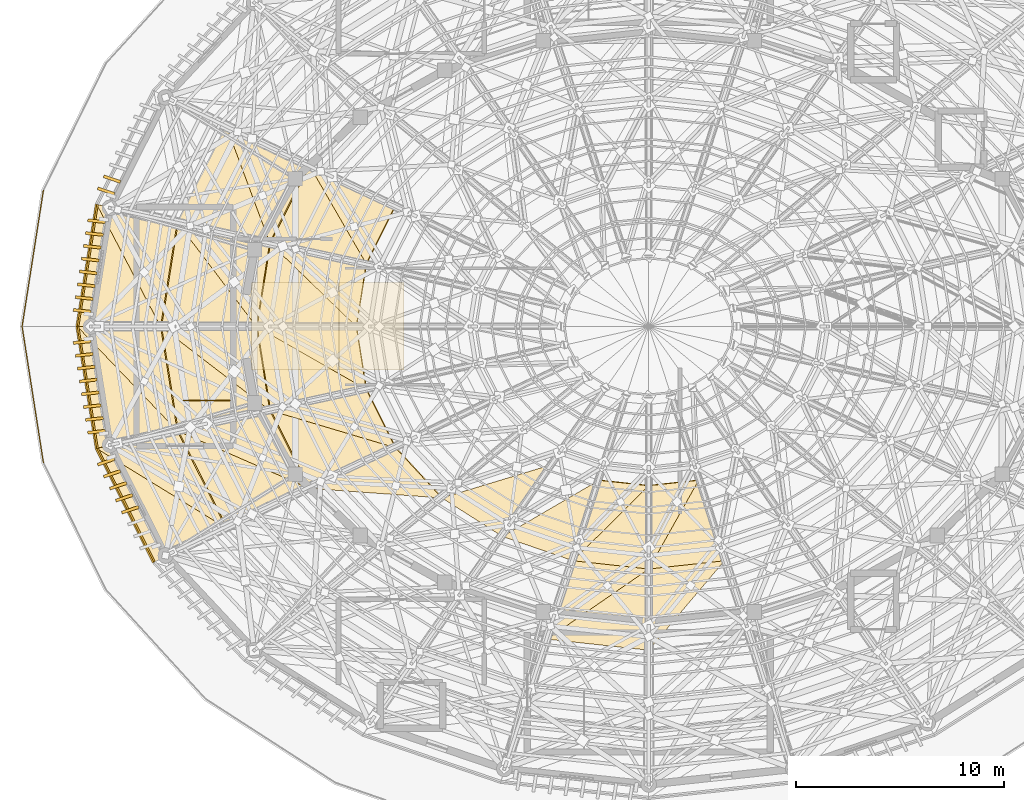
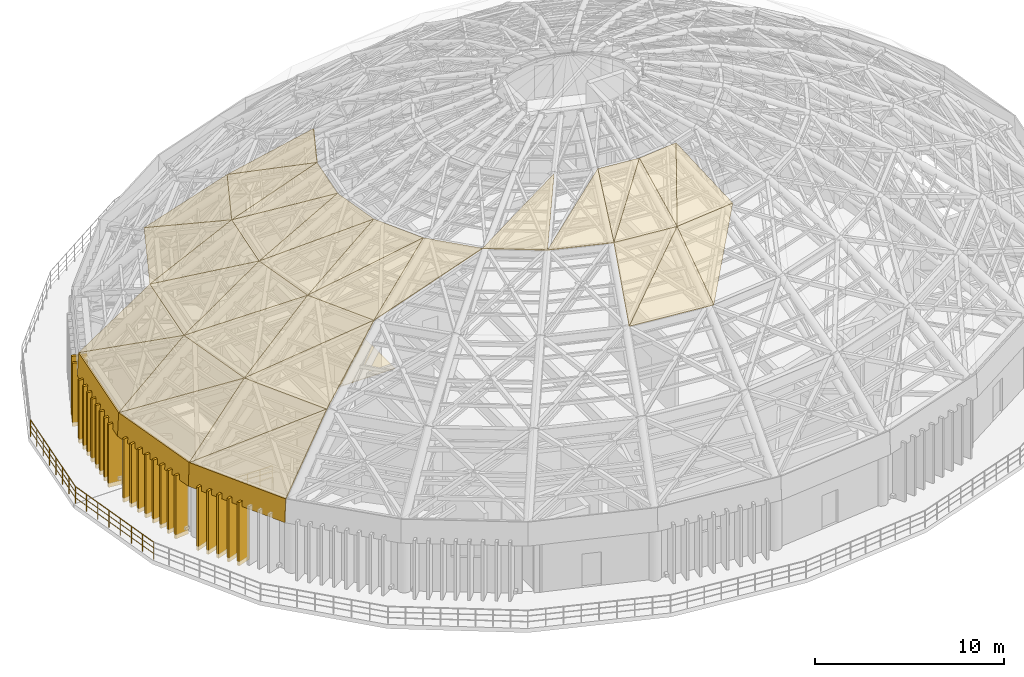
# One storey, part 43 of 50: 37 coverings, 23 shading devices, 3 railings, 5 elements without a shape of their own.
"""IFC4 building model written with IfcOpenShell, lengths in metres."""

from ifc_helpers import new_model, si_unit, direction, frame, origin, origin_2d, place, context, subcontext, project, spatial, polyline, rectangle, circle, outline, extrude, material, layer, layer_set, type_object, element, aggregate, save


model = new_model("IFC4")

# Units and contexts
model_context = context("Model", 3, precision=1e-05, world=origin(), true_north=direction((0.0, 1.0)))
body_context = subcontext(model_context, "Body", "Model", "MODEL_VIEW")
ifc_project = project(units=[si_unit("LENGTHUNIT", "METRE"), si_unit("AREAUNIT", "SQUARE_METRE"), si_unit("VOLUMEUNIT", "CUBIC_METRE"), si_unit("PLANEANGLEUNIT", "RADIAN"), si_unit("MASSUNIT", "GRAM", prefix="KILO")], contexts=[model_context])

# Site, building, storey
site_placement = place(None, origin())
site = spatial("IfcSite", under=ifc_project, at=site_placement, CompositionType="ELEMENT")
building_placement = place(site_placement, origin())
building = spatial("IfcBuilding", under=site, at=building_placement, Name="Cinderbank Siding Concert Hall", CompositionType="ELEMENT")
storey_placement = place(building_placement, frame((0.0, 0.0, 23.699951171875)))
storey = spatial("IfcBuildingStorey", under=building, at=storey_placement, Name="L06", CompositionType="ELEMENT", Elevation=23.699951171875)

# Coverings
ifc_material_1 = material(Name="Spotted gum glulam timber GL18 (42 MPa)", Category="wood")
ifc_layer_1 = layer(ifc_material_1, 0.044921875)
ifc_layer_set_1 = layer_set([ifc_layer_1], Name="Spotted gum glulam timber GL18 (42 MPa)")
covering_type_1 = type_object("IfcCoveringType", Name="CLG-01 Perforated Timber Acoustic Ceiling", PredefinedType="CEILING", material=ifc_layer_set_1)
for number, where, z_axis, x_axis, name in (
    (1, (108.140625, 44.0, 3.5595703125), (0.0, 0.0, 1.0), (1.0, 0.0, 0.0), "Main Hall Timber Acoustic Reflector #6"),
    (2, (105.02587890625, 44.0, 3.5595703125), (0.0, 0.0, 1.0), (1.0, 0.0, 0.0), "Main Hall Timber Acoustic Reflector #7"),
):
    element("IfcCovering", number, at=place(storey_placement, frame(where, z_axis=z_axis, x_axis=x_axis)), inside=storey, type_object=covering_type_1, Name=name, PredefinedType="CEILING", context=body_context, shape_type="SweptSolid", body=[
        extrude(rectangle(XDim=4.199951171875, YDim=4.199951171875, at=origin_2d()), origin(), (0.0, 0.0, 1.0), 0.044921875),
    ])

# Railings
ifc_material_2 = material(Name="Structural steel AS/NZS 3679.1 Grade 350 (340 MPa)", Category="steel")
railing_type_1 = type_object("IfcRailingType", Name="GD-01 Terrace & Perimeter Guardrail 1120mm", PredefinedType="GUARDRAIL", material=ifc_material_2)
railing_1_placement = place(storey_placement, frame((91.901123046875, 44.0, 0.0)))
element("IfcRailing", 3, at=railing_1_placement, inside=storey, type_object=railing_type_1, Name="L06 Perimeter Guardrail #139", PredefinedType="GUARDRAIL", context=body_context, shape_type="SweptSolid", body=[
    extrude(circle(Radius=0.02392578125, at=origin_2d()), frame((0.0, 0.0, 1.09619140625), z_axis=(0.154635505389, 0.9879715889, 0.0), x_axis=(-0.9879715889, 0.154635505389, 0.0)), (0.0, 0.0, 1.0), 6.623046875),
    extrude(circle(Radius=0.01611328125, at=origin_2d()), frame((0.0, 0.0, 0.36962890625), z_axis=(0.154635505389, 0.9879715889, 0.0), x_axis=(-0.9879715889, 0.154635505389, 0.0)), (0.0, 0.0, 1.0), 6.623046875),
    extrude(circle(Radius=0.01611328125, at=origin_2d()), frame((0.0, 0.0, 0.7392578125), z_axis=(0.154635505389, 0.9879715889, 0.0), x_axis=(-0.9879715889, 0.154635505389, 0.0)), (0.0, 0.0, 1.0), 6.623046875),
    extrude(circle(Radius=0.02099609375, at=origin_2d()), origin(), (0.0, 0.0, 1.0), 1.072021484375),
    extrude(circle(Radius=0.02099609375, at=origin_2d()), frame((0.146240234375, 0.934814453125, 0.0)), (0.0, 0.0, 1.0), 1.072021484375),
    extrude(circle(Radius=0.02099609375, at=origin_2d()), frame((0.292724609375, 1.86962890625, 0.0)), (0.0, 0.0, 1.0), 1.072021484375),
    extrude(circle(Radius=0.02099609375, at=origin_2d()), frame((0.43896484375, 2.804443359375, 0.0)), (0.0, 0.0, 1.0), 1.072021484375),
    extrude(circle(Radius=0.02099609375, at=origin_2d()), frame((0.585205078125, 3.739013671875, 0.0)), (0.0, 0.0, 1.0), 1.072021484375),
    extrude(circle(Radius=0.02099609375, at=origin_2d()), frame((0.7314453125, 4.673828125, 0.0)), (0.0, 0.0, 1.0), 1.072021484375),
    extrude(circle(Radius=0.02099609375, at=origin_2d()), frame((0.8779296875, 5.608642578125, 0.0)), (0.0, 0.0, 1.0), 1.072021484375),
    extrude(circle(Radius=0.02099609375, at=origin_2d()), frame((1.024169921875, 6.54345703125, 0.0)), (0.0, 0.0, 1.0), 1.072021484375),
])
railing_2_placement = place(storey_placement, frame((92.92529296875, 37.45654296875, 0.0)))
element("IfcRailing", 4, at=railing_2_placement, inside=storey, type_object=railing_type_1, Name="L06 Perimeter Guardrail #162", PredefinedType="GUARDRAIL", context=body_context, shape_type="SweptSolid", body=[
    extrude(circle(Radius=0.02392578125, at=origin_2d()), frame((0.0, 0.0, 1.09619140625), z_axis=(-0.154635505389, 0.9879715889, 0.0), x_axis=(-0.9879715889, -0.154635505389, 0.0)), (0.0, 0.0, 1.0), 6.623046875),
    extrude(circle(Radius=0.01611328125, at=origin_2d()), frame((0.0, 0.0, 0.36962890625), z_axis=(-0.154635505389, 0.9879715889, 0.0), x_axis=(-0.9879715889, -0.154635505389, 0.0)), (0.0, 0.0, 1.0), 6.623046875),
    extrude(circle(Radius=0.01611328125, at=origin_2d()), frame((0.0, 0.0, 0.7392578125), z_axis=(-0.154635505389, 0.9879715889, 0.0), x_axis=(-0.9879715889, -0.154635505389, 0.0)), (0.0, 0.0, 1.0), 6.623046875),
    extrude(circle(Radius=0.02099609375, at=origin_2d()), origin(), (0.0, 0.0, 1.0), 1.072021484375),
    extrude(circle(Radius=0.02099609375, at=origin_2d()), frame((-0.146240234375, 0.934814453125, 0.0)), (0.0, 0.0, 1.0), 1.072021484375),
    extrude(circle(Radius=0.02099609375, at=origin_2d()), frame((-0.292724609375, 1.86962890625, 0.0)), (0.0, 0.0, 1.0), 1.072021484375),
    extrude(circle(Radius=0.02099609375, at=origin_2d()), frame((-0.43896484375, 2.804443359375, 0.0)), (0.0, 0.0, 1.0), 1.072021484375),
    extrude(circle(Radius=0.02099609375, at=origin_2d()), frame((-0.585205078125, 3.739013671875, 0.0)), (0.0, 0.0, 1.0), 1.072021484375),
    extrude(circle(Radius=0.02099609375, at=origin_2d()), frame((-0.7314453125, 4.673828125, 0.0)), (0.0, 0.0, 1.0), 1.072021484375),
    extrude(circle(Radius=0.02099609375, at=origin_2d()), frame((-0.8779296875, 5.608642578125, 0.0)), (0.0, 0.0, 1.0), 1.072021484375),
    extrude(circle(Radius=0.02099609375, at=origin_2d()), frame((-1.024169921875, 6.54345703125, 0.0)), (0.0, 0.0, 1.0), 1.072021484375),
])

# Shading devices
ifc_material_3 = material(Name="Glazed architectural terracotta acoustic louvre unit", Category="masonry")
shading_device_type = type_object("IfcShadingDeviceType", Name="LV-02 Terracotta Louvre Blade 850x4050", PredefinedType="JALOUSIE", material=ifc_material_3)
for number, where, z_axis, x_axis, name in (
    (5, (96.22314453125, 51.0771484375, -0.27490234375), (0.0, 0.0, 1.0), (-0.946765351164, 0.321924478466, 0.0), "L06 Terracotta Louvre Blade #264"),
    (6, (95.9326171875, 50.5009765625, -0.27490234375), (0.0, 0.0, 1.0), (-0.946765351164, 0.321924478466, 0.0), "L06 Terracotta Louvre Blade #265"),
    (7, (95.47509765625, 49.05810546875, -0.27490234375), (0.0, 0.0, 1.0), (-0.994210818271, 0.107446958234, 0.0), "L06 Terracotta Louvre Blade #266"),
    (8, (95.37646484375, 48.442626953125, -0.27490234375), (0.0, 0.0, 1.0), (-0.994210818271, 0.107446958234, 0.0), "L06 Terracotta Louvre Blade #267"),
    (9, (95.277587890625, 47.8271484375, -0.27490234375), (0.0, 0.0, 1.0), (-0.994210818271, 0.107446958234, 0.0), "L06 Terracotta Louvre Blade #268"),
    (10, (95.178955078125, 47.211669921875, -0.27490234375), (0.0, 0.0, 1.0), (-0.994210818271, 0.107446958234, 0.0), "L06 Terracotta Louvre Blade #269"),
    (11, (95.080322265625, 46.59619140625, -0.27490234375), (0.0, 0.0, 1.0), (-0.994210818271, 0.107446958234, 0.0), "L06 Terracotta Louvre Blade #270"),
    (12, (94.981689453125, 45.980712890625, -0.27490234375), (0.0, 0.0, 1.0), (-0.994210818271, 0.107446958234, 0.0), "L06 Terracotta Louvre Blade #271"),
    (13, (94.8828125, 45.365234375, -0.27490234375), (0.0, 0.0, 1.0), (-0.994210818271, 0.107446958234, 0.0), "L06 Terracotta Louvre Blade #272"),
    (14, (94.7841796875, 44.749755859375, -0.27490234375), (0.0, 0.0, 1.0), (-0.994210818271, 0.107446958234, 0.0), "L06 Terracotta Louvre Blade #273"),
    (15, (94.7841796875, 43.250244140625, -0.27490234375), (0.0, 0.0, 1.0), (-0.994210818271, -0.107446958234, 0.0), "L06 Terracotta Louvre Blade #274"),
    (16, (94.8828125, 42.634765625, -0.27490234375), (0.0, 0.0, 1.0), (-0.994210818271, -0.107446958234, 0.0), "L06 Terracotta Louvre Blade #275"),
    (17, (94.981689453125, 42.019287109375, -0.27490234375), (0.0, 0.0, 1.0), (-0.994210818271, -0.107446958234, 0.0), "L06 Terracotta Louvre Blade #276"),
    (18, (95.080322265625, 41.40380859375, -0.27490234375), (0.0, 0.0, 1.0), (-0.994210818271, -0.107446958234, 0.0), "L06 Terracotta Louvre Blade #277"),
    (19, (95.178955078125, 40.788330078125, -0.27490234375), (0.0, 0.0, 1.0), (-0.994210818271, -0.107446958234, 0.0), "L06 Terracotta Louvre Blade #278"),
    (20, (95.277587890625, 40.1728515625, -0.27490234375), (0.0, 0.0, 1.0), (-0.994210818271, -0.107446958234, 0.0), "L06 Terracotta Louvre Blade #279"),
    (21, (95.37646484375, 39.557373046875, -0.27490234375), (0.0, 0.0, 1.0), (-0.994210818271, -0.107446958234, 0.0), "L06 Terracotta Louvre Blade #280"),
    (22, (95.47509765625, 38.94189453125, -0.27490234375), (0.0, 0.0, 1.0), (-0.994210818271, -0.107446958234, 0.0), "L06 Terracotta Louvre Blade #281"),
    (23, (95.9326171875, 37.4990234375, -0.27490234375), (0.0, 0.0, 1.0), (-0.946765351164, -0.321924478466, 0.0), "L06 Terracotta Louvre Blade #282"),
    (24, (96.22314453125, 36.9228515625, -0.27490234375), (0.0, 0.0, 1.0), (-0.946765351164, -0.321924478466, 0.0), "L06 Terracotta Louvre Blade #283"),
    (25, (96.513916015625, 36.3466796875, -0.27490234375), (0.0, 0.0, 1.0), (-0.946765351164, -0.321924478466, 0.0), "L06 Terracotta Louvre Blade #284"),
    (26, (96.8046875, 35.7705078125, -0.27490234375), (0.0, 0.0, 1.0), (-0.946765351164, -0.321924478466, 0.0), "L06 Terracotta Louvre Blade #285"),
    (27, (97.095458984375, 35.1943359375, -0.27490234375), (0.0, 0.0, 1.0), (-0.946765351164, -0.321924478466, 0.0), "L06 Terracotta Louvre Blade #286"),
):
    element("IfcShadingDevice", number, at=place(storey_placement, frame(where, z_axis=z_axis, x_axis=x_axis)), inside=storey, type_object=shading_device_type, Name=name, PredefinedType="JALOUSIE", context=body_context, shape_type="SweptSolid", body=[
        extrude(rectangle(XDim=0.85009765625, YDim=0.139892578125, at=origin_2d()), origin(), (0.0, 0.0, 1.0), 4.090087890625),
    ])

# Roof, coverings
ifc_material_4 = material(Name="Patinated sheet copper roofing", Category="metal")
roof_type = type_object("IfcRoofType", Name="RF-DM1 Schwedler Dome Sector Roof", PredefinedType="DOME_ROOF", material=ifc_material_4)
roof_1_placement = place(storey_placement, origin())
roof_1 = element("IfcRoof", 28, at=roof_1_placement, inside=storey, type_object=roof_type, Name="Schwedler Dome Roof Bay 06", PredefinedType="DOME_ROOF")
ifc_layer_2 = layer(ifc_material_4, 0.080078125)
ifc_layer_set_2 = layer_set([ifc_layer_2], Name="Patinated sheet copper roofing")
covering_type_2 = type_object("IfcCoveringType", Name="RC-01 Standing Seam Copper Roofing", PredefinedType="ROOFING", material=ifc_layer_set_2)
covering_1_placement = place(storey_placement, frame((101.691650390625, 53.675048828125, 8.550048828125), z_axis=(-0.524718605864, 0.263374922749, 0.809508514302), x_axis=(-0.448596954918, -0.893734173028, 0.0)))
covering_1 = element("IfcCovering", 29, at=covering_1_placement, type_object=covering_type_2, Name="Dome Copper Facet B06-0-1-0", PredefinedType="ROOFING", context=body_context, shape_type="SweptSolid", body=[
    extrude(outline(polyline([(0.0, 0.0), (5.221901912608443, 0.0), (4.107630737415811, 5.450360788363618), (0.0, 0.0)])), origin(), (0.0, 0.0, -1.0), 0.080078125),
])
covering_2_placement = place(storey_placement, frame((101.691650390625, 53.675048828125, 8.550048828125), z_axis=(-0.524634631634, 0.263427310318, 0.809545894604), x_axis=(0.307783319878, -0.82790994366, 0.468865175923)))
covering_2 = element("IfcCovering", 30, at=covering_2_placement, type_object=covering_type_2, Name="Dome Copper Facet B06-0-1-1", PredefinedType="ROOFING", context=body_context, shape_type="SweptSolid", body=[
    extrude(outline(polyline([(0.0, 0.0), (6.824885566681308, 0.0), (4.299594575873313, 3.3515875100969743), (0.0, 0.0)])), origin(), (0.0, 0.0, -1.0), 0.080078125),
])
covering_3_placement = place(storey_placement, frame((105.67529296875, 51.77490234375, 11.75), z_axis=(-0.452627961148, 0.22727162713, 0.86225027474), x_axis=(-0.448725579477, -0.893669600201, 0.0)))
covering_3 = element("IfcCovering", 31, at=covering_3_placement, type_object=covering_type_2, Name="Dome Copper Facet B06-0-2-0", PredefinedType="ROOFING", context=body_context, shape_type="SweptSolid", body=[
    extrude(outline(polyline([(0.0, 0.0), (4.196454864060145, 0.0), (3.0181287695728045, 5.3307892826816135), (0.0, 0.0)])), origin(), (0.0, 0.0, -1.0), 0.080078125),
])
covering_4_placement = place(storey_placement, frame((105.67529296875, 51.77490234375, 11.75), z_axis=(-0.453558010742, 0.226562255952, 0.861948185838), x_axis=(0.449472991079, -0.776992856365, 0.440744973253)))
covering_4 = element("IfcCovering", 32, at=covering_4_placement, type_object=covering_type_2, Name="Dome Copper Facet B06-0-2-1", PredefinedType="ROOFING", context=body_context, shape_type="SweptSolid", body=[
    extrude(outline(polyline([(0.0, 0.0), (6.125880805735303, 1.1102230246251565e-16), (4.573539360864835, 2.730437048093893), (0.0, 0.0)])), origin(), (0.0, 0.0, -1.0), 0.080078125),
])
covering_5_placement = place(storey_placement, frame((95.417724609375, 49.88037109375, 3.449951171875), z_axis=(-0.986460154656, 0.157320911567, 0.046330271538), x_axis=(-0.157490007364, -0.987520580839, 4.52131e-07)))
covering_5 = element("IfcCovering", 33, at=covering_5_placement, type_object=covering_type_2, Name="Dome Springing Copper Fascia B06-1", PredefinedType="ROOFING", context=body_context, shape_type="SweptSolid", body=[
    extrude(outline(polyline([(0.0, 0.0), (5.954672809660513, 0.0), (5.944082159497435, 1.5016097764822538), (0.007191056844099984, 1.5016151588034659), (0.0, 0.0)])), origin(), (0.0, 0.0, -1.0), 0.080078125),
])
covering_6_placement = place(storey_placement, frame((95.4853515625, 49.8623046875, 4.949951171875), z_axis=(-0.665196638922, 0.106128949013, 0.739087327553), x_axis=(-0.157552602601, -0.987510596102, 0.0)))
covering_6 = element("IfcCovering", 34, at=covering_6_placement, type_object=covering_type_2, Name="Dome Copper Facet B06-1-0-0", PredefinedType="ROOFING", context=body_context, shape_type="SweptSolid", body=[
    extrude(outline(polyline([(0.0, 0.0), (5.936447376505061, -1.1102230246251565e-16), (5.306236966099209, 5.344486689398041), (0.0, 0.0)])), origin(), (0.0, 0.0, -1.0), 0.080078125),
])
covering_7_placement = place(storey_placement, frame((95.4853515625, 49.8623046875, 4.949951171875), z_axis=(-0.665189611681, 0.106135894264, 0.739092654855), x_axis=(0.406930893033, -0.778397562616, 0.478021425052)))
covering_7 = element("IfcCovering", 35, at=covering_7_placement, type_object=covering_type_2, Name="Dome Copper Facet B06-1-0-1", PredefinedType="ROOFING", context=body_context, shape_type="SweptSolid", body=[
    extrude(outline(polyline([(0.0, 0.0), (7.531247487206257, 2.220446049250313e-16), (3.958155595349438, 3.598911242826958), (0.0, 0.0)])), origin(), (0.0, 0.0, -1.0), 0.080078125),
])
covering_8_placement = place(storey_placement, frame((99.34912109375, 49.008056640625, 8.550048828125), z_axis=(-0.568714847688, 0.090742636206, 0.817514034126), x_axis=(-0.157564280349, -0.987508732902, 0.0)))
covering_8 = element("IfcCovering", 36, at=covering_8_placement, type_object=covering_type_2, Name="Dome Copper Facet B06-1-1-0", PredefinedType="ROOFING", context=body_context, shape_type="SweptSolid", body=[
    extrude(outline(polyline([(0.0, 0.0), (5.071404913966074, 1.1102230246251565e-16), (4.346632305068022, 5.5563517286959945), (0.0, 0.0)])), origin(), (0.0, 0.0, -1.0), 0.080078125),
])
covering_9_placement = place(storey_placement, frame((99.34912109375, 49.008056640625, 8.550048828125), z_axis=(-0.568696109934, 0.090763692159, 0.817524731572), x_axis=(0.538772457692, -0.709907465611, 0.453602942123)))
covering_9 = element("IfcCovering", 37, at=covering_9_placement, type_object=covering_type_2, Name="Dome Copper Facet B06-1-1-1", PredefinedType="ROOFING", context=body_context, shape_type="SweptSolid", body=[
    extrude(outline(polyline([(0.0, 0.0), (7.054520318805802, 0.0), (4.543457273295366, 3.21014469781913), (0.0, 0.0)])), origin(), (0.0, 0.0, -1.0), 0.080078125),
])
covering_10_placement = place(storey_placement, frame((103.792236328125, 48.024658203125, 11.75), z_axis=(-0.488756890138, 0.078005421775, 0.868925691021), x_axis=(-0.157604997343, -0.987502235346, 0.0)))
covering_10 = element("IfcCovering", 38, at=covering_10_placement, type_object=covering_type_2, Name="Dome Copper Facet B06-1-2-0", PredefinedType="ROOFING", context=body_context, shape_type="SweptSolid", body=[
    extrude(outline(polyline([(0.0, 0.0), (4.075594017988595, 0.0), (3.3190823351871432, 5.455079757132639), (0.0, 0.0)])), origin(), (0.0, 0.0, -1.0), 0.080078125),
])
covering_11_placement = place(storey_placement, frame((103.792236328125, 48.024658203125, 11.75), z_axis=(-0.489024085718, 0.077649897335, 0.868807192092), x_axis=(0.651121387872, -0.630283974109, 0.422827447356)))
covering_11 = element("IfcCovering", 39, at=covering_11_placement, type_object=covering_type_2, Name="Dome Copper Facet B06-1-2-1", PredefinedType="ROOFING", context=body_context, shape_type="SweptSolid", body=[
    extrude(outline(polyline([(0.0, 0.0), (6.385468088122407, -2.220446049250313e-16), (4.796806457599074, 2.6069933965468284), (0.0, 0.0)])), origin(), (0.0, 0.0, -1.0), 0.080078125),
])
aggregate(roof_1, [covering_1, covering_2, covering_3, covering_4, covering_5, covering_6, covering_7, covering_8, covering_9, covering_10, covering_11])

roof_2_placement = place(storey_placement, origin())
roof_2 = element("IfcRoof", 40, at=roof_2_placement, inside=storey, type_object=roof_type, Name="Schwedler Dome Roof Bay 07", PredefinedType="DOME_ROOF")
covering_12_placement = place(storey_placement, frame((94.47998046875, 44.0, 3.449951171875), z_axis=(-0.986476648365, -0.157303033118, 0.0460388749), x_axis=(0.157470028612, -0.987523766847, 4.83129e-07)))
covering_12 = element("IfcCovering", 41, at=covering_12_placement, type_object=covering_type_2, Name="Dome Springing Copper Fascia B07-0", PredefinedType="ROOFING", context=body_context, shape_type="SweptSolid", body=[
    extrude(outline(polyline([(0.0, 0.0), (5.954672809616187, 0.0), (5.947887046676837, 1.5015893384198757), (0.011034391249215016, 1.5015950896598318), (0.0, 0.0)])), origin(), (0.0, 0.0, -1.0), 0.080078125),
])
covering_13_placement = place(storey_placement, frame((94.550048828125, 44.0, 4.949951171875), z_axis=(-0.665191122167, -0.106128068841, 0.739092419116), x_axis=(0.157552602601, -0.987510596102, 0.0)))
covering_13 = element("IfcCovering", 42, at=covering_13_placement, type_object=covering_type_2, Name="Dome Copper Facet B07-0-0-0", PredefinedType="ROOFING", context=body_context, shape_type="SweptSolid", body=[
    extrude(outline(polyline([(0.0, 0.0), (5.936447376505061, 0.0), (5.70161532401733, 5.344531013837111), (0.0, 0.0)])), origin(), (0.0, 0.0, -1.0), 0.080078125),
])
covering_14_placement = place(storey_placement, frame((94.550048828125, 44.0, 4.949951171875), z_axis=(-0.665196069433, -0.106136924646, 0.739086694805), x_axis=(0.614093771921, -0.640835607845, 0.460671860444)))
covering_14 = element("IfcCovering", 43, at=covering_14_placement, type_object=covering_type_2, Name="Dome Copper Facet B07-0-0-1", PredefinedType="ROOFING", context=body_context, shape_type="SweptSolid", body=[
    extrude(outline(polyline([(0.0, 0.0), (7.814885095824249, 2.220446049250313e-16), (4.114838772769581, 3.468256767981412), (0.0, 0.0)])), origin(), (0.0, 0.0, -1.0), 0.080078125),
])
covering_15_placement = place(storey_placement, frame((98.550048828125, 44.0, 8.550048828125), z_axis=(-0.568700786595, -0.090740392655, 0.817524064763), x_axis=(0.157564280349, -0.987508732902, 0.0)))
covering_15 = element("IfcCovering", 44, at=covering_15_placement, type_object=covering_type_2, Name="Dome Copper Facet B07-0-1-0", PredefinedType="ROOFING", context=body_context, shape_type="SweptSolid", body=[
    extrude(outline(polyline([(0.0, 0.0), (5.071404913966074, 0.0), (4.800366623422205, 5.556489109163799), (0.0, 0.0)])), origin(), (0.0, 0.0, -1.0), 0.080078125),
])
covering_16_placement = place(storey_placement, frame((98.550048828125, 44.0, 8.550048828125), z_axis=(-0.568713606568, -0.090766484615, 0.817512250046), x_axis=(0.713913011124, -0.548102458475, 0.435788833681)))
covering_16 = element("IfcCovering", 45, at=covering_16_placement, type_object=covering_type_2, Name="Dome Copper Facet B07-0-1-1", PredefinedType="ROOFING", context=body_context, shape_type="SweptSolid", body=[
    extrude(outline(polyline([(0.0, 0.0), (7.342893907685292, 4.440892098500626e-16), (4.678398263097572, 3.0839795004891783), (0.0, 0.0)])), origin(), (0.0, 0.0, -1.0), 0.080078125),
])
covering_17_placement = place(storey_placement, frame((103.14990234375, 44.0, 11.75), z_axis=(-0.488945687952, -0.078035553837, 0.868816762367), x_axis=(0.157604997343, -0.987502235346, 0.0)))
covering_17 = element("IfcCovering", 46, at=covering_17_placement, type_object=covering_type_2, Name="Dome Copper Facet B07-0-2-0", PredefinedType="ROOFING", context=body_context, shape_type="SweptSolid", body=[
    extrude(outline(polyline([(0.0, 0.0), (4.075594017988595, -1.1102230246251565e-16), (3.809420864028872, 5.452973373620496), (0.0, 0.0)])), origin(), (0.0, 0.0, -1.0), 0.080078125),
])
covering_18_placement = place(storey_placement, frame((103.14990234375, 44.0, 11.75), z_axis=(-0.488772024303, -0.077609873657, 0.868952596964), x_axis=(0.793589537986, -0.45328049182, 0.405897081703)))
covering_18 = element("IfcCovering", 47, at=covering_18_placement, type_object=covering_type_2, Name="Dome Copper Facet B07-0-2-1", PredefinedType="ROOFING", context=body_context, shape_type="SweptSolid", body=[
    extrude(outline(polyline([(0.0, 0.0), (6.651812229213372, -6.661338147750939e-16), (4.905170833226242, 2.5038977973870966), (0.0, 0.0)])), origin(), (0.0, 0.0, -1.0), 0.080078125),
])
covering_19_placement = place(storey_placement, frame((95.417724609375, 38.11962890625, 3.449951171875), z_axis=(-0.892879975107, -0.447973871764, 0.045659175078), x_axis=(0.448441558349, -0.893812155179, -9.4826e-08)))
covering_19 = element("IfcCovering", 48, at=covering_19_placement, type_object=covering_type_2, Name="Dome Springing Copper Fascia B07-1", PredefinedType="ROOFING", context=body_context, shape_type="SweptSolid", body=[
    extrude(outline(polyline([(0.0, 0.0), (6.130740774306156, -1.3877787807814457e-17), (6.126358301169801, 1.5015666007519237), (0.014178620500370921, 1.501565438594786), (0.0, 0.0)])), origin(), (0.0, 0.0, -1.0), 0.080078125),
])
covering_20_placement = place(storey_placement, frame((95.4853515625, 38.1376953125, 4.949951171875), z_axis=(-0.611585077076, -0.307008875339, 0.729183957559), x_axis=(0.448634985963, -0.893715082881, 0.0)))
covering_20 = element("IfcCovering", 49, at=covering_20_placement, type_object=covering_type_2, Name="Dome Copper Facet B07-1-0-0", PredefinedType="ROOFING", context=body_context, shape_type="SweptSolid", body=[
    extrude(outline(polyline([(0.0, 0.0), (6.112290806106234, 2.220446049250313e-16), (6.191869733283395, 5.260856904197429), (0.0, 0.0)])), origin(), (0.0, 0.0, -1.0), 0.080078125),
])
covering_21_placement = place(storey_placement, frame((95.4853515625, 38.1376953125, 4.949951171875), z_axis=(-0.61157580567, -0.306971639224, 0.729207409885), x_axis=(0.763850768259, -0.469259960186, 0.44308813299)))
covering_21 = element("IfcCovering", 50, at=covering_21_placement, type_object=covering_type_2, Name="Dome Copper Facet B07-1-0-1", PredefinedType="ROOFING", context=body_context, shape_type="SweptSolid", body=[
    extrude(outline(polyline([(0.0, 0.0), (8.125014840626001, 0.0), (4.14563946944379, 3.3812469948426056), (0.0, 0.0)])), origin(), (0.0, 0.0, -1.0), 0.080078125),
])
covering_22_placement = place(storey_placement, frame((99.34912109375, 38.991943359375, 8.550048828125), z_axis=(-0.52467153982, -0.263351298628, 0.809546705765), x_axis=(0.448596954918, -0.893734173028, 0.0)))
covering_22 = element("IfcCovering", 51, at=covering_22_placement, type_object=covering_type_2, Name="Dome Copper Facet B07-1-1-0", PredefinedType="ROOFING", context=body_context, shape_type="SweptSolid", body=[
    extrude(outline(polyline([(0.0, 0.0), (5.221901912608443, 0.0), (5.310725995790247, 5.450849716967454), (0.0, 0.0)])), origin(), (0.0, 0.0, -1.0), 0.080078125),
])
covering_23_placement = place(storey_placement, frame((99.34912109375, 38.991943359375, 8.550048828125), z_axis=(-0.524693195631, -0.263456716223, 0.809498368828), x_axis=(0.831272296922, -0.363569347832, 0.420480317836)))
covering_23 = element("IfcCovering", 52, at=covering_23_placement, type_object=covering_type_2, Name="Dome Copper Facet B07-1-1-1", PredefinedType="ROOFING", context=body_context, shape_type="SweptSolid", body=[
    extrude(outline(polyline([(0.0, 0.0), (7.610228198899589, -2.220446049250313e-16), (4.681421563595967, 3.005382690955601), (0.0, 0.0)])), origin(), (0.0, 0.0, -1.0), 0.080078125),
])
covering_24_placement = place(storey_placement, frame((103.792236328125, 39.975341796875, 11.75), z_axis=(-0.453105188419, -0.227511250457, 0.861936377666), x_axis=(0.448725579477, -0.893669600201, 0.0)))
covering_24 = element("IfcCovering", 53, at=covering_24_placement, type_object=covering_type_2, Name="Dome Copper Facet B07-1-2-0", PredefinedType="ROOFING", context=body_context, shape_type="SweptSolid", body=[
    extrude(outline(polyline([(0.0, 0.0), (4.196454864060145, 0.0), (4.319187126011781, 5.325174696745625), (0.0, 0.0)])), origin(), (0.0, 0.0, -1.0), 0.080078125),
])
covering_25_placement = place(storey_placement, frame((103.792236328125, 39.975341796875, 11.75), z_axis=(-0.452919962485, -0.226243536739, 0.862367305541), x_axis=(0.880909710869, -0.262563791752, 0.393774474232)))
covering_25 = element("IfcCovering", 54, at=covering_25_placement, type_object=covering_type_2, Name="Dome Copper Facet B07-1-2-1", PredefinedType="ROOFING", context=body_context, shape_type="SweptSolid", body=[
    extrude(outline(polyline([(0.0, 0.0), (6.856592665483765, -1.1102230246251565e-16), (4.882423571962226, 2.4428890325290196), (0.0, 0.0)])), origin(), (0.0, 0.0, -1.0), 0.080078125),
])
aggregate(roof_2, [covering_12, covering_13, covering_14, covering_15, covering_16, covering_17, covering_18, covering_19, covering_20, covering_21, covering_22, covering_23, covering_24, covering_25])

roof_3_placement = place(storey_placement, origin())
roof_3 = element("IfcRoof", 55, at=roof_3_placement, inside=storey, type_object=roof_type, Name="Schwedler Dome Roof Bay 08", PredefinedType="DOME_ROOF")
covering_26_placement = place(storey_placement, frame((105.67529296875, 36.22509765625, 11.75), z_axis=(-0.385422224455, -0.356680326305, 0.851016365132), x_axis=(0.919102406533, -0.066580757375, 0.388352634923)))
covering_26 = element("IfcCovering", 56, at=covering_26_placement, type_object=covering_type_2, Name="Dome Copper Facet B08-0-2-1", PredefinedType="ROOFING", context=body_context, shape_type="SweptSolid", body=[
    extrude(outline(polyline([(0.0, 0.0), (6.9523184062008445, 0.0), (4.739396473755773, 2.4311869166180857), (0.0, 0.0)])), origin(), (0.0, 0.0, -1.0), 0.080078125),
])
covering_27_placement = place(storey_placement, frame((112.065185546875, 35.76220703125, 14.449951171875), z_axis=(-0.230291065509, -0.361972729763, 0.903294950752), x_axis=(0.843719778593, -0.536783881288, 0.0)))
covering_27 = element("IfcCovering", 57, at=covering_27_placement, type_object=covering_type_2, Name="Dome Copper Facet B08-1-3-0", PredefinedType="ROOFING", context=body_context, shape_type="SweptSolid", body=[
    extrude(outline(polyline([(0.0, 0.0), (3.4489082550926464, 2.220446049250313e-16), (3.614274205281867, 4.661786423217897), (0.0, 0.0)])), origin(), (0.0, 0.0, -1.0), 0.080078125),
])
aggregate(roof_3, [covering_26, covering_27])

roof_4_placement = place(storey_placement, origin())
roof_4 = element("IfcRoof", 58, at=roof_4_placement, inside=storey, type_object=roof_type, Name="Schwedler Dome Roof Bay 09", PredefinedType="DOME_ROOF")
covering_28_placement = place(storey_placement, frame((114.97509765625, 33.910888671875, 14.449951171875), z_axis=(-0.143616979664, -0.418137205948, 0.896958995804), x_axis=(0.945768401468, -0.324841701117, 0.0)))
covering_28 = element("IfcCovering", 59, at=covering_28_placement, type_object=covering_type_2, Name="Dome Copper Facet B09-0-3-0", PredefinedType="ROOFING", context=body_context, shape_type="SweptSolid", body=[
    extrude(outline(polyline([(0.0, 0.0), (3.582724617480391, 0.0), (3.502743043969563, 4.523722778147322), (0.0, 0.0)])), origin(), (0.0, 0.0, -1.0), 0.080078125),
])
covering_29_placement = place(storey_placement, frame((117.121337890625, 28.97998046875, 11.75), z_axis=(-0.061720087087, -0.568103408686, 0.820639474976), x_axis=(0.994150154684, -0.108006805075, 0.0)))
covering_29 = element("IfcCovering", 60, at=covering_29_placement, type_object=covering_type_2, Name="Dome Copper Facet B09-1-2-0", PredefinedType="ROOFING", context=body_context, shape_type="SweptSolid", body=[
    extrude(outline(polyline([(0.0, 0.0), (4.907369461635952, 5.551115123125783e-17), (4.486127100533258, 4.724768121644118), (0.0, 0.0)])), origin(), (0.0, 0.0, -1.0), 0.080078125),
])
covering_30_placement = place(storey_placement, frame((117.121337890625, 28.97998046875, 11.75), z_axis=(-0.061988137589, -0.567843363706, 0.820799235558), x_axis=(0.748804049293, 0.517264229417, 0.414403441983)))
covering_30 = element("IfcCovering", 61, at=covering_30_placement, type_object=covering_type_2, Name="Dome Copper Facet B09-1-2-1", PredefinedType="ROOFING", context=body_context, shape_type="SweptSolid", body=[
    extrude(outline(polyline([(0.0, 0.0), (6.515272071482772, -4.440892098500626e-16), (3.9976049139647776, 2.6538438082137574), (0.0, 0.0)])), origin(), (0.0, 0.0, -1.0), 0.080078125),
])
covering_31_placement = place(storey_placement, frame((118.363525390625, 32.7470703125, 14.449951171875), z_axis=(-0.048761617875, -0.446681610238, 0.893363220475), x_axis=(0.994094324789, -0.108519461034, 0.0)))
covering_31 = element("IfcCovering", 62, at=covering_31_placement, type_object=covering_type_2, Name="Dome Copper Facet B09-1-3-0", PredefinedType="ROOFING", context=body_context, shape_type="SweptSolid", body=[
    extrude(outline(polyline([(0.0, 0.0), (3.658078030118991, 5.551115123125783e-17), (3.224000185981711, 4.451019706227903), (0.0, 0.0)])), origin(), (0.0, 0.0, -1.0), 0.080078125),
])
covering_32_placement = place(storey_placement, frame((118.363525390625, 32.7470703125, 14.449951171875), z_axis=(-0.048616675052, -0.44679954598, 0.893312142881), x_axis=(0.661661281487, 0.655575508036, 0.363902599392)))
covering_32 = element("IfcCovering", 63, at=covering_32_placement, type_object=covering_type_2, Name="Dome Copper Facet B09-1-3-1", PredefinedType="ROOFING", context=body_context, shape_type="SweptSolid", body=[
    extrude(outline(polyline([(0.0, 0.0), (5.4959761302646895, 0.0), (4.082706731048076, 1.949864244988588), (0.0, 0.0)])), origin(), (0.0, 0.0, -1.0), 0.080078125),
])
aggregate(roof_4, [covering_28, covering_29, covering_30, covering_31, covering_32])

roof_5_placement = place(storey_placement, origin())
roof_5 = element("IfcRoof", 64, at=roof_5_placement, inside=storey, type_object=roof_type, Name="Schwedler Dome Roof Bay 10", PredefinedType="DOME_ROOF")
covering_33_placement = place(storey_placement, frame((122.0, 28.449951171875, 11.75), z_axis=(0.062015387818, -0.568092989887, 0.820624424762), x_axis=(0.582459423952, 0.688275818797, 0.432455103692)))
covering_33 = element("IfcCovering", 65, at=covering_33_placement, type_object=covering_type_2, Name="Dome Copper Facet B10-0-2-1", PredefinedType="ROOFING", context=body_context, shape_type="SweptSolid", body=[
    extrude(outline(polyline([(0.0, 0.0), (6.243309765169753, 2.220446049250313e-16), (3.8519841789564673, 2.768229906485538), (0.0, 0.0)])), origin(), (0.0, 0.0, -1.0), 0.080078125),
])
covering_34_placement = place(storey_placement, frame((122.0, 32.35009765625, 14.449951171875), z_axis=(0.048769846206, -0.446756986, 0.893325079443), x_axis=(0.994094324789, 0.108519461034, 0.0)))
covering_34 = element("IfcCovering", 66, at=covering_34_placement, type_object=covering_type_2, Name="Dome Copper Facet B10-0-3-0", PredefinedType="ROOFING", context=body_context, shape_type="SweptSolid", body=[
    extrude(outline(polyline([(0.0, 0.0), (3.658078030118991, 0.0), (2.8422514803189762, 4.450268740904486), (0.0, 0.0)])), origin(), (0.0, 0.0, -1.0), 0.080078125),
])
covering_35_placement = place(storey_placement, frame((122.0, 32.35009765625, 14.449951171875), z_axis=(0.048604215682, -0.446685041213, 0.893370082426), x_axis=(0.453377506279, 0.806841817467, 0.378754694212)))
covering_35 = element("IfcCovering", 67, at=covering_35_placement, type_object=covering_type_2, Name="Dome Copper Facet B10-0-3-1", PredefinedType="ROOFING", context=body_context, shape_type="SweptSolid", body=[
    extrude(outline(polyline([(0.0, 0.0), (5.280462606973655, 1.1102230246251565e-16), (3.9848766582895307, 2.029965028816817), (0.0, 0.0)])), origin(), (0.0, 0.0, -1.0), 0.080078125),
])
aggregate(roof_5, [covering_33, covering_34, covering_35])

# Railing
railing_type_2 = type_object("IfcRailingType", Name="STG-01 Stair Well Guardrail 1120mm", PredefinedType="GUARDRAIL", material=ifc_material_2)
railing_3_placement = place(storey_placement, frame((101.89990234375, 40.449951171875, 0.0)))
element("IfcRailing", 68, at=railing_3_placement, inside=storey, type_object=railing_type_2, Name="L06 ST-04 top well guard 1", PredefinedType="GUARDRAIL", context=body_context, shape_type="SweptSolid", body=[
    extrude(circle(Radius=0.02392578125, at=origin_2d()), frame((0.0, 0.0, 1.09619140625), z_axis=(-1.0, 0.0, 0.0), x_axis=(0.0, -1.0, 0.0)), (0.0, 0.0, 1.0), 2.260009765625),
    extrude(circle(Radius=0.01611328125, at=origin_2d()), frame((0.0, 0.0, 0.36962890625), z_axis=(-1.0, 0.0, 0.0), x_axis=(0.0, -1.0, 0.0)), (0.0, 0.0, 1.0), 2.260009765625),
    extrude(circle(Radius=0.01611328125, at=origin_2d()), frame((0.0, 0.0, 0.7392578125), z_axis=(-1.0, 0.0, 0.0), x_axis=(0.0, -1.0, 0.0)), (0.0, 0.0, 1.0), 2.260009765625),
    extrude(circle(Radius=0.02099609375, at=origin_2d()), origin(), (0.0, 0.0, 1.0), 1.072021484375),
    extrude(circle(Radius=0.02099609375, at=origin_2d()), frame((-0.75341796875, 0.0, 0.0)), (0.0, 0.0, 1.0), 1.072021484375),
    extrude(circle(Radius=0.02099609375, at=origin_2d()), frame((-1.506591796875, 0.0, 0.0)), (0.0, 0.0, 1.0), 1.072021484375),
    extrude(circle(Radius=0.02099609375, at=origin_2d()), frame((-2.260009765625, 0.0, 0.0)), (0.0, 0.0, 1.0), 1.072021484375),
])

save(model, "model.ifc")
